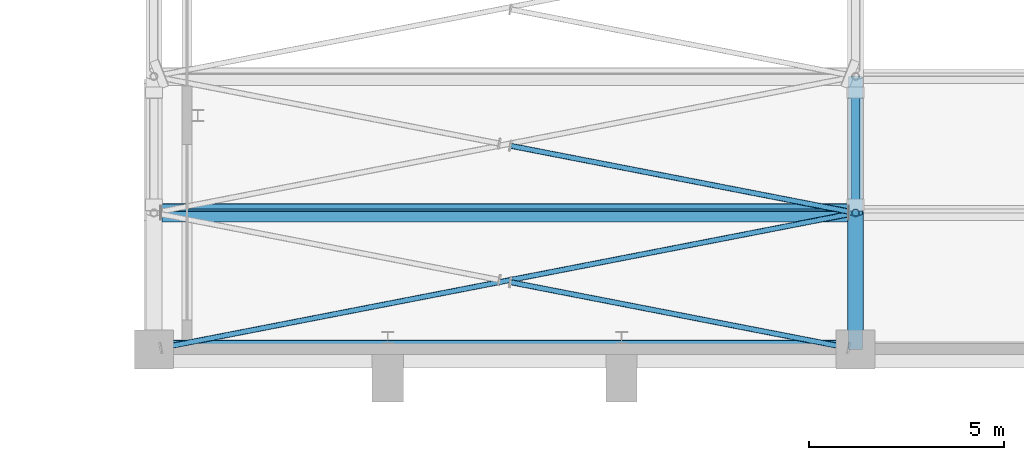
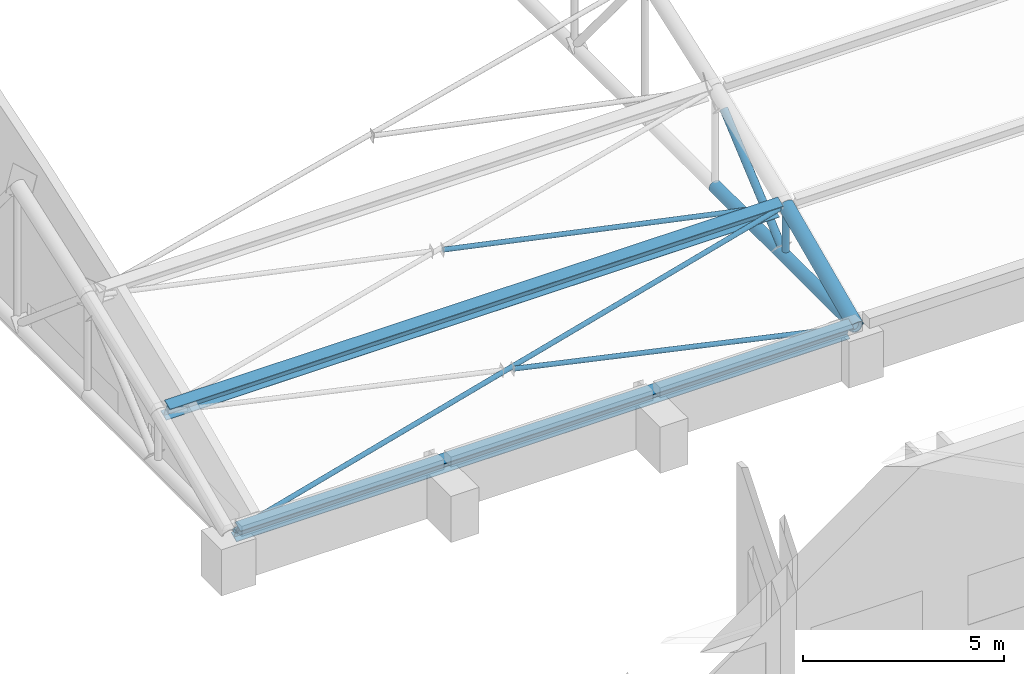
# One storey, part 28 of 196: 9 members.
"""IFC4 building model written with IfcOpenShell, lengths in metres."""

from ifc_helpers import new_model, si_unit, direction, frame, origin, origin_2d, place, context, subcontext, project, spatial, hollow_circle, i_section, extrude, material, material_profile, profile_set, type_object, element, save


model = new_model("IFC4")

# Units and contexts
model_context = context("Model", 3, precision=1e-05, world=origin(), true_north=direction((0.0, 1.0)))
body_context = subcontext(model_context, "Body", "Model", "MODEL_VIEW")
ifc_project = project(units=[si_unit("LENGTHUNIT", "METRE"), si_unit("AREAUNIT", "SQUARE_METRE"), si_unit("VOLUMEUNIT", "CUBIC_METRE"), si_unit("PLANEANGLEUNIT", "RADIAN"), si_unit("MASSUNIT", "GRAM", prefix="KILO")], contexts=[model_context])

# Site, building, storey
site_placement = place(None, origin())
site = spatial("IfcSite", under=ifc_project, at=site_placement, CompositionType="ELEMENT")
building_placement = place(site_placement, origin())
building = spatial("IfcBuilding", under=site, at=building_placement, Name="Okhra Congress Centre", CompositionType="ELEMENT")
storey_placement = place(building_placement, frame((0.0, 0.0, 12.0)))
storey = spatial("IfcBuildingStorey", under=building, at=storey_placement, Name="L02", CompositionType="ELEMENT", Elevation=12.0)

# Members
ifc_material_1 = material(Name="Steel S355J2H", Category="steel")
ifc_material_profile_1 = material_profile(ifc_material_1, hollow_circle(Radius=0.06982421875, WallThickness=0.00634765625, at=origin_2d()), Name="CHS 139.7x6.3")
ifc_profile_set_1 = profile_set([ifc_material_profile_1], Name="Steel S355J2H")
member_type_1 = type_object("IfcMemberType", Name="CHS 139.7x6.3", PredefinedType="BRACE", material=ifc_profile_set_1)
member_1_placement = place(storey_placement, frame((28.185546875, 132.0361328125, 1.416259765625), z_axis=(0.978053112716, 0.190170974165, 0.085129955315), x_axis=(-0.190863837306, 0.981616521667, 0.0)))
element("IfcMember", 1, at=member_1_placement, inside=storey, type_object=member_type_1, Name="EH.MEM.L02.XB1-01-1", PredefinedType="BRACE", context=body_context, shape_type="SweptSolid", body=[
    extrude(hollow_circle(Radius=0.06982421875, WallThickness=0.00634765625, at=origin_2d()), origin(), (0.0, 0.0, 1.0), 18.0244140625),
])
member_2_placement = place(storey_placement, frame((45.814453125, 132.0361328125, 1.416259765625), z_axis=(-0.978051270157, 0.190181228948, 0.085128215653), x_axis=(-0.190874100976, -0.98161452596, 0.0)))
element("IfcMember", 2, at=member_2_placement, inside=storey, type_object=member_type_1, Name="EH.MEM.L02.XB1-01-2a", PredefinedType="BRACE", context=body_context, shape_type="SweptSolid", body=[
    extrude(hollow_circle(Radius=0.06982421875, WallThickness=0.00634765625, at=origin_2d()), origin(), (0.0, 0.0, 1.0), 8.85888671875),
])
member_3_placement = place(storey_placement, frame((45.814453125, 135.5361328125, 2.981201171875), z_axis=(-0.97874056041, 0.19029150725, 0.076524882736), x_axis=(-0.190851145429, -0.981618989368, 0.0)))
element("IfcMember", 3, at=member_3_placement, inside=storey, type_object=member_type_1, Name="EH.MEM.L02.XB1-02-2a", PredefinedType="BRACE", context=body_context, shape_type="SweptSolid", body=[
    extrude(hollow_circle(Radius=0.06982421875, WallThickness=0.00634765625, at=origin_2d()), origin(), (0.0, 0.0, 1.0), 8.85009765625),
])
ifc_material_profile_2 = material_profile(ifc_material_1, hollow_circle(Radius=0.096923828125, WallThickness=0.012451171875, at=origin_2d()), Name="CHS 193.7x12.5")
ifc_profile_set_2 = profile_set([ifc_material_profile_2], Name="Steel S355J2H")
member_type_2 = type_object("IfcMemberType", Name="CHS 193.7x12.5", PredefinedType="POST", material=ifc_profile_set_2)
member_4_placement = place(storey_placement, frame((46.0, 135.5, 1.577880859375), z_axis=(0.0, 0.0, 1.0), x_axis=(1.0, 0.0, 0.0)))
element("IfcMember", 4, at=member_4_placement, inside=storey, type_object=member_type_2, Name="EH.MEM.L02.T2-VER-01", PredefinedType="POST", context=body_context, shape_type="SweptSolid", body=[
    extrude(hollow_circle(Radius=0.096923828125, WallThickness=0.012451171875, at=origin_2d()), origin(), (0.0, 0.0, 1.0), 1.168212890625),
])
ifc_material_profile_3 = material_profile(ifc_material_1, hollow_circle(Radius=0.109619140625, WallThickness=0.012451171875, at=origin_2d()), Name="CHS 219.1x12.5")
ifc_profile_set_3 = profile_set([ifc_material_profile_3], Name="Steel S355J2H")
member_type_3 = type_object("IfcMemberType", Name="CHS 219.1x12.5", PredefinedType="BRACE", material=ifc_profile_set_3)
member_5_placement = place(storey_placement, frame((46.0, 138.57421875, 4.01220703125), z_axis=(0.0, -0.76205947483, -0.647507032257), x_axis=(1.0, 0.0, 0.0)))
element("IfcMember", 5, at=member_5_placement, inside=storey, type_object=member_type_3, Name="EH.MEM.L02.T2-DIA-01", PredefinedType="BRACE", context=body_context, shape_type="SweptSolid", body=[
    extrude(hollow_circle(Radius=0.109619140625, WallThickness=0.012451171875, at=origin_2d()), origin(), (0.0, 0.0, 1.0), 3.759521484375),
])
ifc_material_profile_4 = material_profile(ifc_material_1, hollow_circle(Radius=0.177734375, WallThickness=0.02490234375, at=origin_2d()), Name="CHS 355.6x25.0")
ifc_profile_set_4 = profile_set([ifc_material_profile_4], Name="Steel S355J2H")
member_type_4 = type_object("IfcMemberType", Name="CHS 355.6x25.0", PredefinedType="CHORD", material=ifc_profile_set_4)
member_6_placement = place(storey_placement, frame((46.0, 132.0, 1.39990234375), z_axis=(0.0, 1.0, 0.0), x_axis=(-1.0, 0.0, 0.0)))
element("IfcMember", 6, at=member_6_placement, inside=storey, type_object=member_type_4, Name="EH.MEM.L02.T2-BOT-01", PredefinedType="CHORD", context=body_context, shape_type="SweptSolid", body=[
    extrude(hollow_circle(Radius=0.177734375, WallThickness=0.02490234375, at=origin_2d()), origin(), (0.0, 0.0, 1.0), 7.0),
])
ifc_material_profile_5 = material_profile(ifc_material_1, hollow_circle(Radius=0.203125, WallThickness=0.02490234375, at=origin_2d()), Name="CHS 406.4x25.0")
ifc_profile_set_5 = profile_set([ifc_material_profile_5], Name="Steel S355J2H")
member_type_5 = type_object("IfcMemberType", Name="CHS 406.4x25.0", PredefinedType="CHORD", material=ifc_profile_set_5)
member_7_placement = place(storey_placement, frame((46.0, 132.0, 1.39990234375), z_axis=(0.0, 0.912710800597, 0.408606160591), x_axis=(-1.0, 0.0, 0.0)))
element("IfcMember", 7, at=member_7_placement, inside=storey, type_object=member_type_5, Name="EH.MEM.L02.T2-TOP-01", PredefinedType="CHORD", context=body_context, shape_type="SweptSolid", body=[
    extrude(hollow_circle(Radius=0.203125, WallThickness=0.02490234375, at=origin_2d()), origin(), (0.0, 0.0, 1.0), 3.834716796875),
])
ifc_material_2 = material(Name="Steel S355J2", Category="steel")
ifc_material_profile_6 = material_profile(ifc_material_2, i_section(OverallWidth=0.300048828125, OverallDepth=0.5, WebThickness=0.014404296875, FlangeThickness=0.028076171875, at=origin_2d()), Name="HE 500 B")
ifc_profile_set_6 = profile_set([ifc_material_profile_6], Name="Steel S355J2")
member_type_6 = type_object("IfcMemberType", Name="HE 500 B", PredefinedType="PURLIN", material=ifc_profile_set_6)
for number, where, z_axis, x_axis, name in (
    (8, (28.203125, 132.0, 1.39990234375), (1.0, 0.0, 0.0), (0.0, 0.912721046606, 0.40858327313), "EH.MEM.L02.PU1-01"),
    (9, (28.203125, 135.5, 2.966796875), (1.0, 0.0, 0.0), (0.0, 0.920437204489, 0.390890461118), "EH.MEM.L02.PU1-02"),
):
    element("IfcMember", number, at=place(storey_placement, frame(where, z_axis=z_axis, x_axis=x_axis)), inside=storey, type_object=member_type_6, Name=name, PredefinedType="PURLIN", context=body_context, shape_type="SweptSolid", body=[
        extrude(i_section(OverallWidth=0.300048828125, OverallDepth=0.5, WebThickness=0.014404296875, FlangeThickness=0.028076171875, at=origin_2d()), origin(), (0.0, 0.0, 1.0), 17.59375),
    ])

save(model, "model.ifc")
